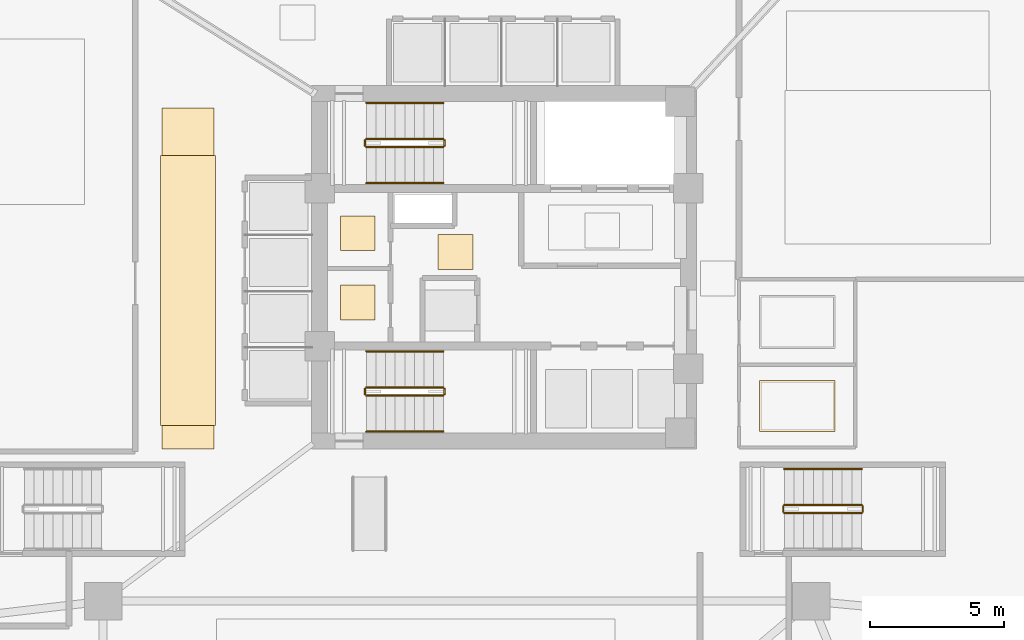
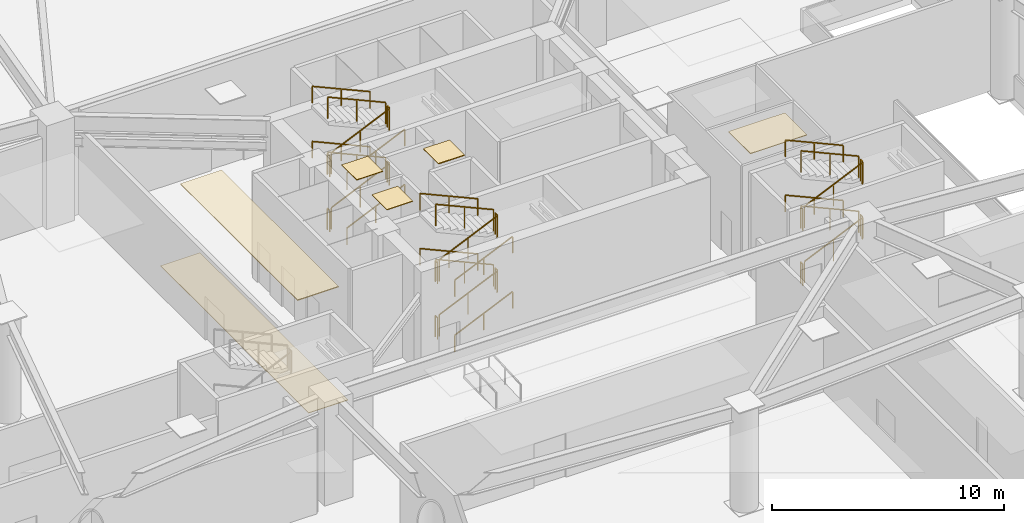
# One storey, part 11 of 13: 34 railings, 6 coverings.
"""IFC4 building model written with IfcOpenShell, lengths in metres."""

from ifc_helpers import new_model, si_unit, direction, frame, origin, origin_2d, place, context, subcontext, project, spatial, polyline, rectangle, outline, extrude, material, layer, layer_set, type_object, element, save


model = new_model("IFC4")

# Units and contexts
model_context = context("Model", 3, precision=1e-05, world=origin(), true_north=direction((0.0, 1.0)))
body_context = subcontext(model_context, "Body", "Model", "MODEL_VIEW")
ifc_project = project(units=[si_unit("LENGTHUNIT", "METRE"), si_unit("AREAUNIT", "SQUARE_METRE"), si_unit("VOLUMEUNIT", "CUBIC_METRE"), si_unit("PLANEANGLEUNIT", "RADIAN"), si_unit("MASSUNIT", "GRAM", prefix="KILO")], contexts=[model_context])

# Site, building, storey
site_placement = place(None, origin())
site = spatial("IfcSite", under=ifc_project, at=site_placement, CompositionType="ELEMENT")
building_placement = place(site_placement, origin())
building = spatial("IfcBuilding", under=site, at=building_placement, Name="Tavelor Broadcast Tower", CompositionType="ELEMENT")
storey_placement = place(building_placement, origin())
storey = spatial("IfcBuildingStorey", under=building, at=storey_placement, Name="L00", CompositionType="ELEMENT", Elevation=0.0)

# Coverings
ifc_material_1 = material(Name="Copper-Bronze Anodized Aluminium", Category="aluminium")
ifc_layer_1 = layer(ifc_material_1, 0.044921875)
ifc_layer_set_1 = layer_set([ifc_layer_1], Name="Copper-Bronze Anodized Aluminium")
covering_type_1 = type_object("IfcCoveringType", Name="Anodised Bronze Linear Slatted Concourse Ceiling 45 mm", PredefinedType="CEILING", material=ifc_layer_set_1)
covering_1_placement = place(storey_placement, frame((0.0, 0.0, 5.405029296875)))
element("IfcCovering", 1, at=covering_1_placement, inside=storey, type_object=covering_type_1, Name="L00 Suspended Acoustic Ceiling 0002", PredefinedType="CEILING", context=body_context, shape_type="SweptSolid", body=[
    extrude(outline(polyline([(47.5400390625, 44.919921875), (48.840087890625, 44.919921875), (48.840087890625, 46.219970703125), (47.5400390625, 46.219970703125), (47.5400390625, 44.919921875)])), origin(), (0.0, 0.0, 1.0), 0.044921875),
])
covering_2_placement = place(storey_placement, frame((0.0, 0.0, 5.405029296875)))
element("IfcCovering", 2, at=covering_2_placement, inside=storey, type_object=covering_type_1, Name="L00 Suspended Acoustic Ceiling 0010", PredefinedType="CEILING", context=body_context, shape_type="SweptSolid", body=[
    extrude(outline(polyline([(37.1484375, 39.072509765625), (39.201416015625, 39.072509765625), (39.201416015625, 49.177490234375), (37.1484375, 49.177490234375), (37.1484375, 39.072509765625)])), origin(), (0.0, 0.0, 1.0), 0.044921875),
])

# Railings
ifc_material_2 = material(Name="Steel S355", Category="steel")
railing_type_1 = type_object("IfcRailingType", Name="Continuous Brushed Stainless Handrail 900 mm", PredefinedType="HANDRAIL", material=ifc_material_2)
railing_1_placement = place(storey_placement, frame((44.85009765625, 48.14990234375, 0.1611328125)))
element("IfcRailing", 3, at=railing_1_placement, inside=storey, type_object=railing_type_1, Name="L00 ST1 stair handrail 1", PredefinedType="HANDRAIL", context=body_context, shape_type="SweptSolid", body=[
    extrude(rectangle(XDim=0.048095703125, YDim=0.048095703125, at=origin_2d()), frame((0.0, 0.0, 0.8759765625), z_axis=(0.912765110149, 0.0, 0.408484826761), x_axis=(0.0, 1.0, 0.0)), (0.0, 0.0, 1.0), 3.155029296875),
    extrude(rectangle(XDim=0.0419921875, YDim=0.0419921875, at=origin_2d()), origin(), (0.0, 0.0, 1.0), 0.851806640625),
    extrude(rectangle(XDim=0.0419921875, YDim=0.0419921875, at=origin_2d()), frame((1.43994140625, 0.0, 0.64453125)), (0.0, 0.0, 1.0), 0.851806640625),
    extrude(rectangle(XDim=0.0419921875, YDim=0.0419921875, at=origin_2d()), frame((2.8798828125, 0.0, 1.288818359375)), (0.0, 0.0, 1.0), 0.851806640625),
])
railing_2_placement = place(storey_placement, frame((47.72998046875, 51.14990234375, 1.611083984375)))
element("IfcRailing", 4, at=railing_2_placement, inside=storey, type_object=railing_type_1, Name="L00 ST1 stair handrail 2", PredefinedType="HANDRAIL", context=body_context, shape_type="SweptSolid", body=[
    extrude(rectangle(XDim=0.048095703125, YDim=0.048095703125, at=origin_2d()), frame((0.0, 0.0, 0.8759765625), z_axis=(-0.912765110149, 0.0, 0.408484826761), x_axis=(0.0, -1.0, 0.0)), (0.0, 0.0, 1.0), 3.155029296875),
    extrude(rectangle(XDim=0.0419921875, YDim=0.0419921875, at=origin_2d()), origin(), (0.0, 0.0, 1.0), 0.851806640625),
    extrude(rectangle(XDim=0.0419921875, YDim=0.0419921875, at=origin_2d()), frame((-1.43994140625, 0.0, 0.64453125)), (0.0, 0.0, 1.0), 0.851806640625),
    extrude(rectangle(XDim=0.0419921875, YDim=0.0419921875, at=origin_2d()), frame((-2.8798828125, 0.0, 1.288818359375)), (0.0, 0.0, 1.0), 0.851806640625),
])
railing_3_placement = place(storey_placement, frame((44.85009765625, 48.14990234375, 3.06103515625)))
element("IfcRailing", 5, at=railing_3_placement, inside=storey, type_object=railing_type_1, Name="L00 ST1 stair handrail 3", PredefinedType="HANDRAIL", context=body_context, shape_type="SweptSolid", body=[
    extrude(rectangle(XDim=0.048095703125, YDim=0.048095703125, at=origin_2d()), frame((0.0, 0.0, 0.8759765625), z_axis=(0.912736257894, 0.0, 0.408549291428), x_axis=(0.0, 1.0, 0.0)), (0.0, 0.0, 1.0), 3.1552734375),
    extrude(rectangle(XDim=0.0419921875, YDim=0.0419921875, at=origin_2d()), origin(), (0.0, 0.0, 1.0), 0.851806640625),
    extrude(rectangle(XDim=0.0419921875, YDim=0.0419921875, at=origin_2d()), frame((1.43994140625, 0.0, 0.64453125)), (0.0, 0.0, 1.0), 0.851806640625),
    extrude(rectangle(XDim=0.0419921875, YDim=0.0419921875, at=origin_2d()), frame((2.8798828125, 0.0, 1.2890625)), (0.0, 0.0, 1.0), 0.851806640625),
])
railing_4_placement = place(storey_placement, frame((47.72998046875, 51.14990234375, 4.51123046875)))
element("IfcRailing", 6, at=railing_4_placement, inside=storey, type_object=railing_type_1, Name="L00 ST1 stair handrail 4", PredefinedType="HANDRAIL", context=body_context, shape_type="SweptSolid", body=[
    extrude(rectangle(XDim=0.048095703125, YDim=0.048095703125, at=origin_2d()), frame((0.0, 0.0, 0.8759765625), z_axis=(-0.912765110149, 0.0, 0.408484826761), x_axis=(0.0, -1.0, 0.0)), (0.0, 0.0, 1.0), 3.155029296875),
    extrude(rectangle(XDim=0.0419921875, YDim=0.0419921875, at=origin_2d()), origin(), (0.0, 0.0, 1.0), 0.851806640625),
    extrude(rectangle(XDim=0.0419921875, YDim=0.0419921875, at=origin_2d()), frame((-1.43994140625, 0.0, 0.64453125)), (0.0, 0.0, 1.0), 0.851806640625),
    extrude(rectangle(XDim=0.0419921875, YDim=0.0419921875, at=origin_2d()), frame((-2.8798828125, 0.0, 1.288818359375)), (0.0, 0.0, 1.0), 0.851806640625),
])
railing_5_placement = place(storey_placement, frame((44.85009765625, 38.85009765625, 0.1611328125)))
element("IfcRailing", 7, at=railing_5_placement, inside=storey, type_object=railing_type_1, Name="L00 ST2 stair handrail 1", PredefinedType="HANDRAIL", context=body_context, shape_type="SweptSolid", body=[
    extrude(rectangle(XDim=0.048095703125, YDim=0.048095703125, at=origin_2d()), frame((0.0, 0.0, 0.8759765625), z_axis=(0.912765110149, 0.0, 0.408484826761), x_axis=(0.0, 1.0, 0.0)), (0.0, 0.0, 1.0), 3.155029296875),
    extrude(rectangle(XDim=0.0419921875, YDim=0.0419921875, at=origin_2d()), origin(), (0.0, 0.0, 1.0), 0.851806640625),
    extrude(rectangle(XDim=0.0419921875, YDim=0.0419921875, at=origin_2d()), frame((1.43994140625, 0.0, 0.64453125)), (0.0, 0.0, 1.0), 0.851806640625),
    extrude(rectangle(XDim=0.0419921875, YDim=0.0419921875, at=origin_2d()), frame((2.8798828125, 0.0, 1.288818359375)), (0.0, 0.0, 1.0), 0.851806640625),
])
railing_6_placement = place(storey_placement, frame((47.72998046875, 41.85009765625, 1.611083984375)))
element("IfcRailing", 8, at=railing_6_placement, inside=storey, type_object=railing_type_1, Name="L00 ST2 stair handrail 2", PredefinedType="HANDRAIL", context=body_context, shape_type="SweptSolid", body=[
    extrude(rectangle(XDim=0.048095703125, YDim=0.048095703125, at=origin_2d()), frame((0.0, 0.0, 0.8759765625), z_axis=(-0.912765110149, 0.0, 0.408484826761), x_axis=(0.0, -1.0, 0.0)), (0.0, 0.0, 1.0), 3.155029296875),
    extrude(rectangle(XDim=0.0419921875, YDim=0.0419921875, at=origin_2d()), origin(), (0.0, 0.0, 1.0), 0.851806640625),
    extrude(rectangle(XDim=0.0419921875, YDim=0.0419921875, at=origin_2d()), frame((-1.43994140625, 0.0, 0.64453125)), (0.0, 0.0, 1.0), 0.851806640625),
    extrude(rectangle(XDim=0.0419921875, YDim=0.0419921875, at=origin_2d()), frame((-2.8798828125, 0.0, 1.288818359375)), (0.0, 0.0, 1.0), 0.851806640625),
])
railing_7_placement = place(storey_placement, frame((44.85009765625, 38.85009765625, 3.06103515625)))
element("IfcRailing", 9, at=railing_7_placement, inside=storey, type_object=railing_type_1, Name="L00 ST2 stair handrail 3", PredefinedType="HANDRAIL", context=body_context, shape_type="SweptSolid", body=[
    extrude(rectangle(XDim=0.048095703125, YDim=0.048095703125, at=origin_2d()), frame((0.0, 0.0, 0.8759765625), z_axis=(0.912736257894, 0.0, 0.408549291428), x_axis=(0.0, 1.0, 0.0)), (0.0, 0.0, 1.0), 3.1552734375),
    extrude(rectangle(XDim=0.0419921875, YDim=0.0419921875, at=origin_2d()), origin(), (0.0, 0.0, 1.0), 0.851806640625),
    extrude(rectangle(XDim=0.0419921875, YDim=0.0419921875, at=origin_2d()), frame((1.43994140625, 0.0, 0.64453125)), (0.0, 0.0, 1.0), 0.851806640625),
    extrude(rectangle(XDim=0.0419921875, YDim=0.0419921875, at=origin_2d()), frame((2.8798828125, 0.0, 1.2890625)), (0.0, 0.0, 1.0), 0.851806640625),
])
for number, where, name in (
    (10, (47.72998046875, 41.85009765625, 4.51123046875), "L00 ST2 stair handrail 4"),
    (11, (63.3798828125, 37.449951171875, 1.611083984375), "L00 ST4 stair handrail 2"),
    (12, (63.3798828125, 37.449951171875, 4.51123046875), "L00 ST4 stair handrail 4"),
):
    element("IfcRailing", number, at=place(storey_placement, frame(where)), inside=storey, type_object=railing_type_1, Name=name, PredefinedType="HANDRAIL", context=body_context, shape_type="SweptSolid", body=[
        extrude(rectangle(XDim=0.048095703125, YDim=0.048095703125, at=origin_2d()), frame((0.0, 0.0, 0.8759765625), z_axis=(-0.912765110149, 0.0, 0.408484826761), x_axis=(0.0, -1.0, 0.0)), (0.0, 0.0, 1.0), 3.155029296875),
        extrude(rectangle(XDim=0.0419921875, YDim=0.0419921875, at=origin_2d()), origin(), (0.0, 0.0, 1.0), 0.851806640625),
        extrude(rectangle(XDim=0.0419921875, YDim=0.0419921875, at=origin_2d()), frame((-1.43994140625, 0.0, 0.64453125)), (0.0, 0.0, 1.0), 0.851806640625),
        extrude(rectangle(XDim=0.0419921875, YDim=0.0419921875, at=origin_2d()), frame((-2.8798828125, 0.0, 1.288818359375)), (0.0, 0.0, 1.0), 0.851806640625),
    ])

# Coverings
ifc_material_3 = material(Name="Honed Natural Limestone Tile", Category="masonry")
ifc_layer_2 = layer(ifc_material_3, 0.030029296875)
ifc_layer_set_2 = layer_set([ifc_layer_2], Name="Honed Natural Limestone Tile")
covering_type_2 = type_object("IfcCoveringType", Name="Honed Jerusalem Limestone Concourse Flooring 30 mm", PredefinedType="FLOORING", material=ifc_layer_set_2)
covering_3_placement = place(storey_placement, origin())
element("IfcCovering", 13, at=covering_3_placement, inside=storey, type_object=covering_type_2, Name="L00 Broadcast Floor Finish 0004", PredefinedType="FLOORING", context=body_context, shape_type="SweptSolid", body=[
    extrude(outline(polyline([(37.193359375, 38.189208984375), (39.15673828125, 38.189208984375), (39.15673828125, 50.960693359375), (37.193359375, 50.960693359375), (37.193359375, 38.189208984375)])), origin(), (0.0, 0.0, 1.0), 0.030029296875),
])
ifc_material_4 = material(Name="Architectural Anodized Aluminium", Category="aluminium")
ifc_layer_3 = layer(ifc_material_4, 0.030029296875)
ifc_layer_set_3 = layer_set([ifc_layer_3], Name="Architectural Anodized Aluminium")
covering_type_3 = type_object("IfcCoveringType", Name="Moisture-Resistant Washroom Ceiling 30 mm", PredefinedType="CEILING", material=ifc_layer_set_3)
covering_4_placement = place(storey_placement, frame((0.0, 0.0, 5.419921875)))
element("IfcCovering", 14, at=covering_4_placement, inside=storey, type_object=covering_type_3, Name="L00 Suspended Acoustic Ceiling 0003", PredefinedType="CEILING", context=body_context, shape_type="SweptSolid", body=[
    extrude(outline(polyline([(43.8798828125, 43.026611328125), (45.179931640625, 43.026611328125), (45.179931640625, 44.326416015625), (43.8798828125, 44.326416015625), (43.8798828125, 43.026611328125)])), origin(), (0.0, 0.0, 1.0), 0.030029296875),
])
covering_5_placement = place(storey_placement, frame((0.0, 0.0, 5.419921875)))
element("IfcCovering", 15, at=covering_5_placement, inside=storey, type_object=covering_type_3, Name="L00 Suspended Acoustic Ceiling 0026", PredefinedType="CEILING", context=body_context, shape_type="SweptSolid", body=[
    extrude(outline(polyline([(59.5703125, 38.84375), (62.389892578125, 38.84375), (62.389892578125, 40.756103515625), (59.5703125, 40.756103515625), (59.5703125, 38.84375)])), origin(), (0.0, 0.0, 1.0), 0.030029296875),
])

# Railings
railing_type_2 = type_object("IfcRailingType", Name="Stairwell Steel Safety Guardrail 1150 mm", PredefinedType="GUARDRAIL", material=ifc_material_2)
railing_8_placement = place(storey_placement, frame((44.85009765625, 49.5, 0.1611328125)))
element("IfcRailing", 16, at=railing_8_placement, inside=storey, type_object=railing_type_2, Name="L00 ST1 stair guard 1", PredefinedType="GUARDRAIL", context=body_context, shape_type="SweptSolid", body=[
    extrude(rectangle(XDim=0.048095703125, YDim=0.048095703125, at=origin_2d()), frame((0.0, 0.0, 1.1259765625), z_axis=(0.912765110149, 0.0, 0.408484826761), x_axis=(0.0, 1.0, 0.0)), (0.0, 0.0, 1.0), 3.155029296875),
    extrude(rectangle(XDim=0.0419921875, YDim=0.0419921875, at=origin_2d()), origin(), (0.0, 0.0, 1.0), 1.101806640625),
    extrude(rectangle(XDim=0.0419921875, YDim=0.0419921875, at=origin_2d()), frame((1.43994140625, 0.0, 0.64453125)), (0.0, 0.0, 1.0), 1.101806640625),
    extrude(rectangle(XDim=0.0419921875, YDim=0.0419921875, at=origin_2d()), frame((2.8798828125, 0.0, 1.288818359375)), (0.0, 0.0, 1.0), 1.101806640625),
])
railing_9_placement = place(storey_placement, frame((47.780029296875, 49.550048828125, 1.449951171875)))
element("IfcRailing", 17, at=railing_9_placement, inside=storey, type_object=railing_type_2, Name="L00 ST1 stair guard 2", PredefinedType="GUARDRAIL", context=body_context, shape_type="SweptSolid", body=[
    extrude(rectangle(XDim=0.048095703125, YDim=0.048095703125, at=origin_2d()), frame((0.0, 0.0, 1.1259765625), z_axis=(0.0, 1.0, 0.0), x_axis=(-1.0, 0.0, 0.0)), (0.0, 0.0, 1.0), 0.199951171875),
    extrude(rectangle(XDim=0.0419921875, YDim=0.0419921875, at=origin_2d()), origin(), (0.0, 0.0, 1.0), 1.101806640625),
    extrude(rectangle(XDim=0.0419921875, YDim=0.0419921875, at=origin_2d()), frame((0.0, 0.199951171875, 0.0)), (0.0, 0.0, 1.0), 1.101806640625),
])
railing_10_placement = place(storey_placement, frame((47.72998046875, 49.800048828125, 1.611083984375)))
element("IfcRailing", 18, at=railing_10_placement, inside=storey, type_object=railing_type_2, Name="L00 ST1 stair guard 3", PredefinedType="GUARDRAIL", context=body_context, shape_type="SweptSolid", body=[
    extrude(rectangle(XDim=0.048095703125, YDim=0.048095703125, at=origin_2d()), frame((0.0, 0.0, 1.1259765625), z_axis=(-0.912765110149, 0.0, 0.408484826761), x_axis=(0.0, -1.0, 0.0)), (0.0, 0.0, 1.0), 3.155029296875),
    extrude(rectangle(XDim=0.0419921875, YDim=0.0419921875, at=origin_2d()), origin(), (0.0, 0.0, 1.0), 1.101806640625),
    extrude(rectangle(XDim=0.0419921875, YDim=0.0419921875, at=origin_2d()), frame((-1.43994140625, 0.0, 0.64453125)), (0.0, 0.0, 1.0), 1.101806640625),
    extrude(rectangle(XDim=0.0419921875, YDim=0.0419921875, at=origin_2d()), frame((-2.8798828125, 0.0, 1.288818359375)), (0.0, 0.0, 1.0), 1.101806640625),
])
railing_11_placement = place(storey_placement, frame((44.800048828125, 49.550048828125, 2.89990234375)))
element("IfcRailing", 19, at=railing_11_placement, inside=storey, type_object=railing_type_2, Name="L00 ST1 stair guard 4", PredefinedType="GUARDRAIL", context=body_context, shape_type="SweptSolid", body=[
    extrude(rectangle(XDim=0.048095703125, YDim=0.048095703125, at=origin_2d()), frame((0.0, 0.0, 1.1259765625), z_axis=(0.0, 1.0, 0.0), x_axis=(-1.0, 0.0, 0.0)), (0.0, 0.0, 1.0), 0.199951171875),
    extrude(rectangle(XDim=0.0419921875, YDim=0.0419921875, at=origin_2d()), origin(), (0.0, 0.0, 1.0), 1.101806640625),
    extrude(rectangle(XDim=0.0419921875, YDim=0.0419921875, at=origin_2d()), frame((0.0, 0.199951171875, 0.0)), (0.0, 0.0, 1.0), 1.101806640625),
])
railing_12_placement = place(storey_placement, frame((44.85009765625, 49.5, 3.06103515625)))
element("IfcRailing", 20, at=railing_12_placement, inside=storey, type_object=railing_type_2, Name="L00 ST1 stair guard 5", PredefinedType="GUARDRAIL", context=body_context, shape_type="SweptSolid", body=[
    extrude(rectangle(XDim=0.048095703125, YDim=0.048095703125, at=origin_2d()), frame((0.0, 0.0, 1.1259765625), z_axis=(0.912736257894, 0.0, 0.408549291428), x_axis=(0.0, 1.0, 0.0)), (0.0, 0.0, 1.0), 3.1552734375),
    extrude(rectangle(XDim=0.0419921875, YDim=0.0419921875, at=origin_2d()), origin(), (0.0, 0.0, 1.0), 1.101806640625),
    extrude(rectangle(XDim=0.0419921875, YDim=0.0419921875, at=origin_2d()), frame((1.43994140625, 0.0, 0.64453125)), (0.0, 0.0, 1.0), 1.101806640625),
    extrude(rectangle(XDim=0.0419921875, YDim=0.0419921875, at=origin_2d()), frame((2.8798828125, 0.0, 1.2890625)), (0.0, 0.0, 1.0), 1.101806640625),
])
railing_13_placement = place(storey_placement, frame((47.780029296875, 49.550048828125, 4.35009765625)))
element("IfcRailing", 21, at=railing_13_placement, inside=storey, type_object=railing_type_2, Name="L00 ST1 stair guard 6", PredefinedType="GUARDRAIL", context=body_context, shape_type="SweptSolid", body=[
    extrude(rectangle(XDim=0.048095703125, YDim=0.048095703125, at=origin_2d()), frame((0.0, 0.0, 1.1259765625), z_axis=(0.0, 1.0, 0.0), x_axis=(-1.0, 0.0, 0.0)), (0.0, 0.0, 1.0), 0.199951171875),
    extrude(rectangle(XDim=0.0419921875, YDim=0.0419921875, at=origin_2d()), origin(), (0.0, 0.0, 1.0), 1.101806640625),
    extrude(rectangle(XDim=0.0419921875, YDim=0.0419921875, at=origin_2d()), frame((0.0, 0.199951171875, 0.0)), (0.0, 0.0, 1.0), 1.101806640625),
])
railing_14_placement = place(storey_placement, frame((47.72998046875, 49.800048828125, 4.51123046875)))
element("IfcRailing", 22, at=railing_14_placement, inside=storey, type_object=railing_type_2, Name="L00 ST1 stair guard 7", PredefinedType="GUARDRAIL", context=body_context, shape_type="SweptSolid", body=[
    extrude(rectangle(XDim=0.048095703125, YDim=0.048095703125, at=origin_2d()), frame((0.0, 0.0, 1.1259765625), z_axis=(-0.912765110149, 0.0, 0.408484826761), x_axis=(0.0, -1.0, 0.0)), (0.0, 0.0, 1.0), 3.155029296875),
    extrude(rectangle(XDim=0.0419921875, YDim=0.0419921875, at=origin_2d()), origin(), (0.0, 0.0, 1.0), 1.101806640625),
    extrude(rectangle(XDim=0.0419921875, YDim=0.0419921875, at=origin_2d()), frame((-1.43994140625, 0.0, 0.64453125)), (0.0, 0.0, 1.0), 1.101806640625),
    extrude(rectangle(XDim=0.0419921875, YDim=0.0419921875, at=origin_2d()), frame((-2.8798828125, 0.0, 1.288818359375)), (0.0, 0.0, 1.0), 1.101806640625),
])
railing_15_placement = place(storey_placement, frame((44.800048828125, 49.550048828125, 0.0)))
element("IfcRailing", 23, at=railing_15_placement, inside=storey, type_object=railing_type_2, Name="L00 ST1 stair guard 8", PredefinedType="GUARDRAIL", context=body_context, shape_type="SweptSolid", body=[
    extrude(rectangle(XDim=0.048095703125, YDim=0.048095703125, at=origin_2d()), frame((0.0, 0.0, 1.1259765625), z_axis=(0.0, 1.0, 0.0), x_axis=(-1.0, 0.0, 0.0)), (0.0, 0.0, 1.0), 0.199951171875),
    extrude(rectangle(XDim=0.0419921875, YDim=0.0419921875, at=origin_2d()), origin(), (0.0, 0.0, 1.0), 1.101806640625),
    extrude(rectangle(XDim=0.0419921875, YDim=0.0419921875, at=origin_2d()), frame((0.0, 0.199951171875, 0.0)), (0.0, 0.0, 1.0), 1.101806640625),
])
railing_16_placement = place(storey_placement, frame((44.85009765625, 40.199951171875, 0.1611328125)))
element("IfcRailing", 24, at=railing_16_placement, inside=storey, type_object=railing_type_2, Name="L00 ST2 stair guard 1", PredefinedType="GUARDRAIL", context=body_context, shape_type="SweptSolid", body=[
    extrude(rectangle(XDim=0.048095703125, YDim=0.048095703125, at=origin_2d()), frame((0.0, 0.0, 1.1259765625), z_axis=(0.912765110149, 0.0, 0.408484826761), x_axis=(0.0, 1.0, 0.0)), (0.0, 0.0, 1.0), 3.155029296875),
    extrude(rectangle(XDim=0.0419921875, YDim=0.0419921875, at=origin_2d()), origin(), (0.0, 0.0, 1.0), 1.101806640625),
    extrude(rectangle(XDim=0.0419921875, YDim=0.0419921875, at=origin_2d()), frame((1.43994140625, 0.0, 0.64453125)), (0.0, 0.0, 1.0), 1.101806640625),
    extrude(rectangle(XDim=0.0419921875, YDim=0.0419921875, at=origin_2d()), frame((2.8798828125, 0.0, 1.288818359375)), (0.0, 0.0, 1.0), 1.101806640625),
])
railing_17_placement = place(storey_placement, frame((47.780029296875, 40.25, 1.449951171875)))
element("IfcRailing", 25, at=railing_17_placement, inside=storey, type_object=railing_type_2, Name="L00 ST2 stair guard 2", PredefinedType="GUARDRAIL", context=body_context, shape_type="SweptSolid", body=[
    extrude(rectangle(XDim=0.048095703125, YDim=0.048095703125, at=origin_2d()), frame((0.0, 0.0, 1.1259765625), z_axis=(0.0, 1.0, 0.0), x_axis=(-1.0, 0.0, 0.0)), (0.0, 0.0, 1.0), 0.199951171875),
    extrude(rectangle(XDim=0.0419921875, YDim=0.0419921875, at=origin_2d()), origin(), (0.0, 0.0, 1.0), 1.101806640625),
    extrude(rectangle(XDim=0.0419921875, YDim=0.0419921875, at=origin_2d()), frame((0.0, 0.199951171875, 0.0)), (0.0, 0.0, 1.0), 1.101806640625),
])
railing_18_placement = place(storey_placement, frame((47.72998046875, 40.5, 1.611083984375)))
element("IfcRailing", 26, at=railing_18_placement, inside=storey, type_object=railing_type_2, Name="L00 ST2 stair guard 3", PredefinedType="GUARDRAIL", context=body_context, shape_type="SweptSolid", body=[
    extrude(rectangle(XDim=0.048095703125, YDim=0.048095703125, at=origin_2d()), frame((0.0, 0.0, 1.1259765625), z_axis=(-0.912765110149, 0.0, 0.408484826761), x_axis=(0.0, -1.0, 0.0)), (0.0, 0.0, 1.0), 3.155029296875),
    extrude(rectangle(XDim=0.0419921875, YDim=0.0419921875, at=origin_2d()), origin(), (0.0, 0.0, 1.0), 1.101806640625),
    extrude(rectangle(XDim=0.0419921875, YDim=0.0419921875, at=origin_2d()), frame((-1.43994140625, 0.0, 0.64453125)), (0.0, 0.0, 1.0), 1.101806640625),
    extrude(rectangle(XDim=0.0419921875, YDim=0.0419921875, at=origin_2d()), frame((-2.8798828125, 0.0, 1.288818359375)), (0.0, 0.0, 1.0), 1.101806640625),
])
railing_19_placement = place(storey_placement, frame((44.800048828125, 40.25, 2.89990234375)))
element("IfcRailing", 27, at=railing_19_placement, inside=storey, type_object=railing_type_2, Name="L00 ST2 stair guard 4", PredefinedType="GUARDRAIL", context=body_context, shape_type="SweptSolid", body=[
    extrude(rectangle(XDim=0.048095703125, YDim=0.048095703125, at=origin_2d()), frame((0.0, 0.0, 1.1259765625), z_axis=(0.0, 1.0, 0.0), x_axis=(-1.0, 0.0, 0.0)), (0.0, 0.0, 1.0), 0.199951171875),
    extrude(rectangle(XDim=0.0419921875, YDim=0.0419921875, at=origin_2d()), origin(), (0.0, 0.0, 1.0), 1.101806640625),
    extrude(rectangle(XDim=0.0419921875, YDim=0.0419921875, at=origin_2d()), frame((0.0, 0.199951171875, 0.0)), (0.0, 0.0, 1.0), 1.101806640625),
])
railing_20_placement = place(storey_placement, frame((44.85009765625, 40.199951171875, 3.06103515625)))
element("IfcRailing", 28, at=railing_20_placement, inside=storey, type_object=railing_type_2, Name="L00 ST2 stair guard 5", PredefinedType="GUARDRAIL", context=body_context, shape_type="SweptSolid", body=[
    extrude(rectangle(XDim=0.048095703125, YDim=0.048095703125, at=origin_2d()), frame((0.0, 0.0, 1.1259765625), z_axis=(0.912736257894, 0.0, 0.408549291428), x_axis=(0.0, 1.0, 0.0)), (0.0, 0.0, 1.0), 3.1552734375),
    extrude(rectangle(XDim=0.0419921875, YDim=0.0419921875, at=origin_2d()), origin(), (0.0, 0.0, 1.0), 1.101806640625),
    extrude(rectangle(XDim=0.0419921875, YDim=0.0419921875, at=origin_2d()), frame((1.43994140625, 0.0, 0.64453125)), (0.0, 0.0, 1.0), 1.101806640625),
    extrude(rectangle(XDim=0.0419921875, YDim=0.0419921875, at=origin_2d()), frame((2.8798828125, 0.0, 1.2890625)), (0.0, 0.0, 1.0), 1.101806640625),
])
railing_21_placement = place(storey_placement, frame((47.780029296875, 40.25, 4.35009765625)))
element("IfcRailing", 29, at=railing_21_placement, inside=storey, type_object=railing_type_2, Name="L00 ST2 stair guard 6", PredefinedType="GUARDRAIL", context=body_context, shape_type="SweptSolid", body=[
    extrude(rectangle(XDim=0.048095703125, YDim=0.048095703125, at=origin_2d()), frame((0.0, 0.0, 1.1259765625), z_axis=(0.0, 1.0, 0.0), x_axis=(-1.0, 0.0, 0.0)), (0.0, 0.0, 1.0), 0.199951171875),
    extrude(rectangle(XDim=0.0419921875, YDim=0.0419921875, at=origin_2d()), origin(), (0.0, 0.0, 1.0), 1.101806640625),
    extrude(rectangle(XDim=0.0419921875, YDim=0.0419921875, at=origin_2d()), frame((0.0, 0.199951171875, 0.0)), (0.0, 0.0, 1.0), 1.101806640625),
])
railing_22_placement = place(storey_placement, frame((47.72998046875, 40.5, 4.51123046875)))
element("IfcRailing", 30, at=railing_22_placement, inside=storey, type_object=railing_type_2, Name="L00 ST2 stair guard 7", PredefinedType="GUARDRAIL", context=body_context, shape_type="SweptSolid", body=[
    extrude(rectangle(XDim=0.048095703125, YDim=0.048095703125, at=origin_2d()), frame((0.0, 0.0, 1.1259765625), z_axis=(-0.912765110149, 0.0, 0.408484826761), x_axis=(0.0, -1.0, 0.0)), (0.0, 0.0, 1.0), 3.155029296875),
    extrude(rectangle(XDim=0.0419921875, YDim=0.0419921875, at=origin_2d()), origin(), (0.0, 0.0, 1.0), 1.101806640625),
    extrude(rectangle(XDim=0.0419921875, YDim=0.0419921875, at=origin_2d()), frame((-1.43994140625, 0.0, 0.64453125)), (0.0, 0.0, 1.0), 1.101806640625),
    extrude(rectangle(XDim=0.0419921875, YDim=0.0419921875, at=origin_2d()), frame((-2.8798828125, 0.0, 1.288818359375)), (0.0, 0.0, 1.0), 1.101806640625),
])
railing_23_placement = place(storey_placement, frame((44.800048828125, 40.25, 0.0)))
element("IfcRailing", 31, at=railing_23_placement, inside=storey, type_object=railing_type_2, Name="L00 ST2 stair guard 8", PredefinedType="GUARDRAIL", context=body_context, shape_type="SweptSolid", body=[
    extrude(rectangle(XDim=0.048095703125, YDim=0.048095703125, at=origin_2d()), frame((0.0, 0.0, 1.1259765625), z_axis=(0.0, 1.0, 0.0), x_axis=(-1.0, 0.0, 0.0)), (0.0, 0.0, 1.0), 0.199951171875),
    extrude(rectangle(XDim=0.0419921875, YDim=0.0419921875, at=origin_2d()), origin(), (0.0, 0.0, 1.0), 1.101806640625),
    extrude(rectangle(XDim=0.0419921875, YDim=0.0419921875, at=origin_2d()), frame((0.0, 0.199951171875, 0.0)), (0.0, 0.0, 1.0), 1.101806640625),
])
railing_24_placement = place(storey_placement, frame((60.5, 35.800048828125, 0.1611328125)))
element("IfcRailing", 32, at=railing_24_placement, inside=storey, type_object=railing_type_2, Name="L00 ST4 stair guard 1", PredefinedType="GUARDRAIL", context=body_context, shape_type="SweptSolid", body=[
    extrude(rectangle(XDim=0.048095703125, YDim=0.048095703125, at=origin_2d()), frame((0.0, 0.0, 1.1259765625), z_axis=(0.912765110149, 0.0, 0.408484826761), x_axis=(0.0, 1.0, 0.0)), (0.0, 0.0, 1.0), 3.155029296875),
    extrude(rectangle(XDim=0.0419921875, YDim=0.0419921875, at=origin_2d()), origin(), (0.0, 0.0, 1.0), 1.101806640625),
    extrude(rectangle(XDim=0.0419921875, YDim=0.0419921875, at=origin_2d()), frame((1.43994140625, 0.0, 0.64453125)), (0.0, 0.0, 1.0), 1.101806640625),
    extrude(rectangle(XDim=0.0419921875, YDim=0.0419921875, at=origin_2d()), frame((2.8798828125, 0.0, 1.288818359375)), (0.0, 0.0, 1.0), 1.101806640625),
])
railing_25_placement = place(storey_placement, frame((63.429931640625, 35.85009765625, 1.449951171875)))
element("IfcRailing", 33, at=railing_25_placement, inside=storey, type_object=railing_type_2, Name="L00 ST4 stair guard 2", PredefinedType="GUARDRAIL", context=body_context, shape_type="SweptSolid", body=[
    extrude(rectangle(XDim=0.048095703125, YDim=0.048095703125, at=origin_2d()), frame((0.0, 0.0, 1.1259765625), z_axis=(0.0, 1.0, 0.0), x_axis=(-1.0, 0.0, 0.0)), (0.0, 0.0, 1.0), 0.199951171875),
    extrude(rectangle(XDim=0.0419921875, YDim=0.0419921875, at=origin_2d()), origin(), (0.0, 0.0, 1.0), 1.101806640625),
    extrude(rectangle(XDim=0.0419921875, YDim=0.0419921875, at=origin_2d()), frame((0.0, 0.199951171875, 0.0)), (0.0, 0.0, 1.0), 1.101806640625),
])
railing_26_placement = place(storey_placement, frame((63.3798828125, 36.10009765625, 1.611083984375)))
element("IfcRailing", 34, at=railing_26_placement, inside=storey, type_object=railing_type_2, Name="L00 ST4 stair guard 3", PredefinedType="GUARDRAIL", context=body_context, shape_type="SweptSolid", body=[
    extrude(rectangle(XDim=0.048095703125, YDim=0.048095703125, at=origin_2d()), frame((0.0, 0.0, 1.1259765625), z_axis=(-0.912765110149, 0.0, 0.408484826761), x_axis=(0.0, -1.0, 0.0)), (0.0, 0.0, 1.0), 3.155029296875),
    extrude(rectangle(XDim=0.0419921875, YDim=0.0419921875, at=origin_2d()), origin(), (0.0, 0.0, 1.0), 1.101806640625),
    extrude(rectangle(XDim=0.0419921875, YDim=0.0419921875, at=origin_2d()), frame((-1.43994140625, 0.0, 0.64453125)), (0.0, 0.0, 1.0), 1.101806640625),
    extrude(rectangle(XDim=0.0419921875, YDim=0.0419921875, at=origin_2d()), frame((-2.8798828125, 0.0, 1.288818359375)), (0.0, 0.0, 1.0), 1.101806640625),
])
railing_27_placement = place(storey_placement, frame((60.449951171875, 35.85009765625, 2.89990234375)))
element("IfcRailing", 35, at=railing_27_placement, inside=storey, type_object=railing_type_2, Name="L00 ST4 stair guard 4", PredefinedType="GUARDRAIL", context=body_context, shape_type="SweptSolid", body=[
    extrude(rectangle(XDim=0.048095703125, YDim=0.048095703125, at=origin_2d()), frame((0.0, 0.0, 1.1259765625), z_axis=(0.0, 1.0, 0.0), x_axis=(-1.0, 0.0, 0.0)), (0.0, 0.0, 1.0), 0.199951171875),
    extrude(rectangle(XDim=0.0419921875, YDim=0.0419921875, at=origin_2d()), origin(), (0.0, 0.0, 1.0), 1.101806640625),
    extrude(rectangle(XDim=0.0419921875, YDim=0.0419921875, at=origin_2d()), frame((0.0, 0.199951171875, 0.0)), (0.0, 0.0, 1.0), 1.101806640625),
])
railing_28_placement = place(storey_placement, frame((60.5, 35.800048828125, 3.06103515625)))
element("IfcRailing", 36, at=railing_28_placement, inside=storey, type_object=railing_type_2, Name="L00 ST4 stair guard 5", PredefinedType="GUARDRAIL", context=body_context, shape_type="SweptSolid", body=[
    extrude(rectangle(XDim=0.048095703125, YDim=0.048095703125, at=origin_2d()), frame((0.0, 0.0, 1.1259765625), z_axis=(0.912736257894, 0.0, 0.408549291428), x_axis=(0.0, 1.0, 0.0)), (0.0, 0.0, 1.0), 3.1552734375),
    extrude(rectangle(XDim=0.0419921875, YDim=0.0419921875, at=origin_2d()), origin(), (0.0, 0.0, 1.0), 1.101806640625),
    extrude(rectangle(XDim=0.0419921875, YDim=0.0419921875, at=origin_2d()), frame((1.43994140625, 0.0, 0.64453125)), (0.0, 0.0, 1.0), 1.101806640625),
    extrude(rectangle(XDim=0.0419921875, YDim=0.0419921875, at=origin_2d()), frame((2.8798828125, 0.0, 1.2890625)), (0.0, 0.0, 1.0), 1.101806640625),
])
railing_29_placement = place(storey_placement, frame((63.429931640625, 35.85009765625, 4.35009765625)))
element("IfcRailing", 37, at=railing_29_placement, inside=storey, type_object=railing_type_2, Name="L00 ST4 stair guard 6", PredefinedType="GUARDRAIL", context=body_context, shape_type="SweptSolid", body=[
    extrude(rectangle(XDim=0.048095703125, YDim=0.048095703125, at=origin_2d()), frame((0.0, 0.0, 1.1259765625), z_axis=(0.0, 1.0, 0.0), x_axis=(-1.0, 0.0, 0.0)), (0.0, 0.0, 1.0), 0.199951171875),
    extrude(rectangle(XDim=0.0419921875, YDim=0.0419921875, at=origin_2d()), origin(), (0.0, 0.0, 1.0), 1.101806640625),
    extrude(rectangle(XDim=0.0419921875, YDim=0.0419921875, at=origin_2d()), frame((0.0, 0.199951171875, 0.0)), (0.0, 0.0, 1.0), 1.101806640625),
])
railing_30_placement = place(storey_placement, frame((63.3798828125, 36.10009765625, 4.51123046875)))
element("IfcRailing", 38, at=railing_30_placement, inside=storey, type_object=railing_type_2, Name="L00 ST4 stair guard 7", PredefinedType="GUARDRAIL", context=body_context, shape_type="SweptSolid", body=[
    extrude(rectangle(XDim=0.048095703125, YDim=0.048095703125, at=origin_2d()), frame((0.0, 0.0, 1.1259765625), z_axis=(-0.912765110149, 0.0, 0.408484826761), x_axis=(0.0, -1.0, 0.0)), (0.0, 0.0, 1.0), 3.155029296875),
    extrude(rectangle(XDim=0.0419921875, YDim=0.0419921875, at=origin_2d()), origin(), (0.0, 0.0, 1.0), 1.101806640625),
    extrude(rectangle(XDim=0.0419921875, YDim=0.0419921875, at=origin_2d()), frame((-1.43994140625, 0.0, 0.64453125)), (0.0, 0.0, 1.0), 1.101806640625),
    extrude(rectangle(XDim=0.0419921875, YDim=0.0419921875, at=origin_2d()), frame((-2.8798828125, 0.0, 1.288818359375)), (0.0, 0.0, 1.0), 1.101806640625),
])
railing_31_placement = place(storey_placement, frame((60.449951171875, 35.85009765625, 0.0)))
element("IfcRailing", 39, at=railing_31_placement, inside=storey, type_object=railing_type_2, Name="L00 ST4 stair guard 8", PredefinedType="GUARDRAIL", context=body_context, shape_type="SweptSolid", body=[
    extrude(rectangle(XDim=0.048095703125, YDim=0.048095703125, at=origin_2d()), frame((0.0, 0.0, 1.1259765625), z_axis=(0.0, 1.0, 0.0), x_axis=(-1.0, 0.0, 0.0)), (0.0, 0.0, 1.0), 0.199951171875),
    extrude(rectangle(XDim=0.0419921875, YDim=0.0419921875, at=origin_2d()), origin(), (0.0, 0.0, 1.0), 1.101806640625),
    extrude(rectangle(XDim=0.0419921875, YDim=0.0419921875, at=origin_2d()), frame((0.0, 0.199951171875, 0.0)), (0.0, 0.0, 1.0), 1.101806640625),
])

# Covering
ifc_material_5 = material(Name="Acoustic Mineral Fibre Tile")
ifc_layer_4 = layer(ifc_material_5, 0.0400390625)
ifc_layer_set_4 = layer_set([ifc_layer_4], Name="Acoustic Mineral Fibre Tile")
covering_type_4 = type_object("IfcCoveringType", Name="Suspended Acoustic Mineral-Fibre Office Ceiling 40 mm", PredefinedType="CEILING", material=ifc_layer_set_4)
covering_6_placement = place(storey_placement, frame((0.0, 0.0, 5.409912109375)))
element("IfcCovering", 40, at=covering_6_placement, inside=storey, type_object=covering_type_4, Name="L00 Suspended Acoustic Ceiling 0004", PredefinedType="CEILING", context=body_context, shape_type="SweptSolid", body=[
    extrude(outline(polyline([(43.8798828125, 45.62353515625), (45.179931640625, 45.62353515625), (45.179931640625, 46.923583984375), (43.8798828125, 46.923583984375), (43.8798828125, 45.62353515625)])), origin(), (0.0, 0.0, 1.0), 0.0400390625),
])

save(model, "model.ifc")
